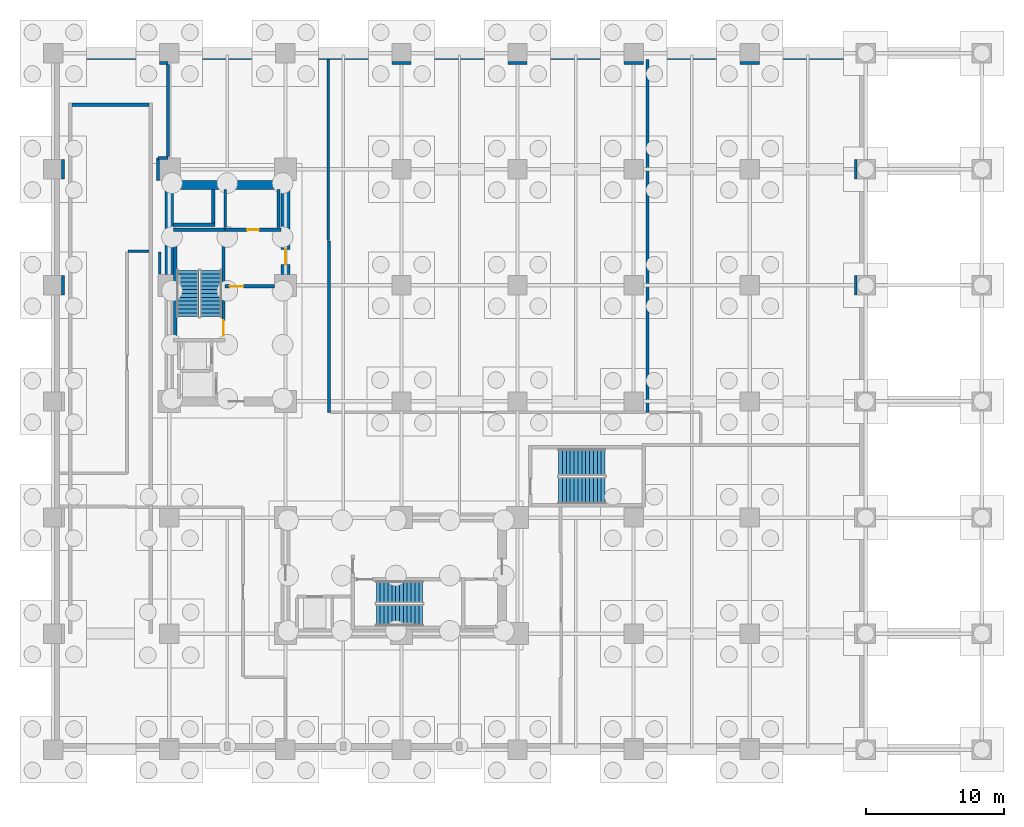
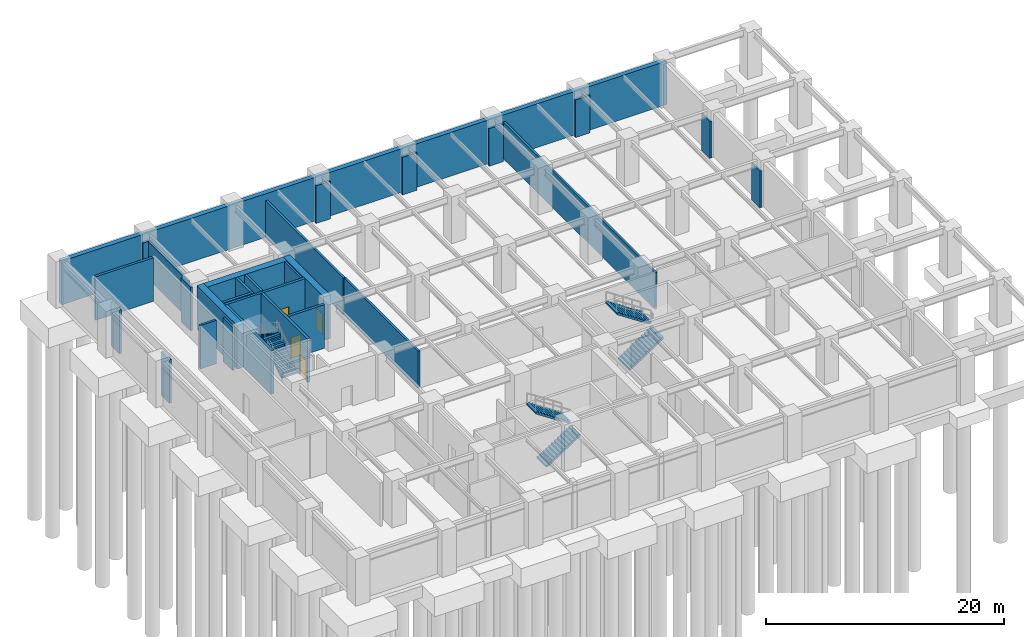
# One storey, part 7 of 9: 31 walls, 6 stair flights, 4 doors, 4 openings, 3 elements without a shape of their own.
"""IFC4 building model written with IfcOpenShell, lengths in metres."""

from ifc_helpers import new_model, si_unit, direction, frame, frame_2d, origin, place, context, subcontext, project, spatial, polyline, rectangle, outline, extrude, material, layer, layer_set, type_object, element, fill, aggregate, save


model = new_model("IFC4")

# Units and contexts
model_context = context("Model", 3, precision=1e-05, world=origin(), true_north=direction((0.0, 1.0)))
body_context = subcontext(model_context, "Body", "Model", "MODEL_VIEW")
ifc_project = project(units=[si_unit("LENGTHUNIT", "METRE"), si_unit("AREAUNIT", "SQUARE_METRE"), si_unit("VOLUMEUNIT", "CUBIC_METRE"), si_unit("PLANEANGLEUNIT", "RADIAN"), si_unit("MASSUNIT", "GRAM", prefix="KILO")], contexts=[model_context])

# Site, building, storey
site_placement = place(None, origin())
site = spatial("IfcSite", under=ifc_project, at=site_placement, CompositionType="ELEMENT")
building_placement = place(site_placement, origin())
building = spatial("IfcBuilding", under=site, at=building_placement, Name="Nerrivon Quay Data Exchange", CompositionType="ELEMENT")
storey_placement = place(building_placement, frame((0.0, 0.0, -9.60009765625)))
storey = spatial("IfcBuildingStorey", under=building, at=storey_placement, Name="B02", CompositionType="ELEMENT", Elevation=-9.60009765625)

# Walls
ifc_material_1 = material(Name="Concrete N80 (80 MPa)", Category="concrete")
ifc_layer_1 = layer(ifc_material_1, 0.64990234375)
ifc_layer_set_1 = layer_set([ifc_layer_1], Name="Concrete N80 (80 MPa)")
wall_type_1 = type_object("IfcWallType", Name="WALL-CW-850", PredefinedType="SHEAR", material=ifc_layer_set_1)
wall_1_placement = place(storey_placement, frame((8.39990234375, 34.39990234375, 0.0), z_axis=(0.0, 0.0, 1.0), x_axis=(0.0, 1.0, 0.0)))
element("IfcWall", 1, at=wall_1_placement, inside=storey, type_object=wall_type_1, Name="B02 West Split-Core Shear Wall WCW-W2", PredefinedType="SHEAR", context=body_context, shape_type="SweptSolid", body=[
    extrude(rectangle(XDim=6.800048828125, YDim=0.64990234375, at=frame_2d((3.39990234375, 0.0))), origin(), (0.0, 0.0, 1.0), 4.47998046875),
])
wall_2_placement = place(storey_placement, frame((8.72509765625, 40.875, 0.0), z_axis=(0.0, 0.0, 1.0), x_axis=(1.0, 0.0, 0.0)))
element("IfcWall", 2, at=wall_2_placement, inside=storey, type_object=wall_type_1, Name="B02 West Split-Core Shear Wall WCW-N1", PredefinedType="SHEAR", context=body_context, shape_type="SweptSolid", body=[
    extrude(rectangle(XDim=7.75, YDim=0.64990234375, at=frame_2d((3.875, 0.0))), origin(), (0.0, 0.0, 1.0), 4.47998046875),
])

# Wall, opening, door
wall_3_placement = place(storey_placement, frame((16.800048828125, 34.39990234375, 0.0), z_axis=(0.0, 0.0, 1.0), x_axis=(0.0, 1.0, 0.0)))
wall_3 = element("IfcWall", 3, at=wall_3_placement, inside=storey, type_object=wall_type_1, Name="B02 West Split-Core Shear Wall WCW-E1", PredefinedType="SHEAR", context=body_context, shape_type="SweptSolid", body=[
    extrude(rectangle(XDim=6.800048828125, YDim=0.64990234375, at=frame_2d((3.39990234375, 0.0))), origin(), (0.0, 0.0, 1.0), 4.47998046875),
])
opening_1_placement = place(wall_3_placement, frame((0.699951171875, 0.0, 0.0)))
opening_1 = element("IfcOpeningElement", 4, at=opening_1_placement, cuts=wall_3, Name="Opening FD-120", PredefinedType="OPENING", context=body_context, shape_type="SweptSolid", body=[
    extrude(rectangle(XDim=1.10009765625, YDim=2.14990234375, at=frame_2d((0.550048828125, 1.074951171875))), frame((0.0, 0.3349609375, 0.0), z_axis=(0.0, -1.0, 0.0), x_axis=(1.0, 0.0, 0.0)), (0.0, 0.0, 1.0), 0.669921875),
])
ifc_material_2 = material(Name="Powder-coated galvanized steel sheet", Category="steel")
door_type_1 = type_object("IfcDoorType", Name="DR-FD120-1100", OperationType="NOTDEFINED", PredefinedType="DOOR", material=ifc_material_2)
door_1_placement = place(opening_1_placement, origin())
door_1 = element("IfcDoor", 5, at=door_1_placement, inside=storey, type_object=door_type_1, Name="B02 West Core Lobby Fire Door", OperationType="SINGLE_SWING_LEFT", OverallHeight=2.14990234375, OverallWidth=1.10009765625, PredefinedType="DOOR", context=body_context, shape_type="SweptSolid", body=[
    extrude(rectangle(XDim=1.10009765625, YDim=2.14990234375, at=frame_2d((0.550048828125, 1.074951171875))), frame((0.0, 0.02490234375, 0.0), z_axis=(0.0, -1.0, 0.0), x_axis=(1.0, 0.0, 0.0)), (0.0, 0.0, 1.0), 0.050048828125),
])
fill(opening_1, door_1)

# Walls
ifc_material_3 = material(Name="Gypsum plasterboard on cold-formed framing", Category="gypsum")
ifc_layer_2 = layer(ifc_material_3, 0.199951171875)
ifc_layer_set_2 = layer_set([ifc_layer_2], Name="Gypsum plasterboard on cold-formed framing")
wall_type_2 = type_object("IfcWallType", Name="WALL-FW-200", PredefinedType="PARTITIONING", material=ifc_layer_set_2)
for number, where, z_axis, x_axis, name in (
    (6, (16.300048828125, 37.780029296875, 0.0), (0.0, 0.0, 1.0), (0.0, 1.0, 0.0), "B02 Partition Electrical Switchboard Closet"),
    (7, (12.449951171875, 40.5458984375, 0.0), (0.0, 0.0, 1.0), (0.0, -1.0, 0.0), "B02 Partition Electrical Switchboard Closet"),
):
    element("IfcWall", number, at=place(storey_placement, frame(where, z_axis=z_axis, x_axis=x_axis)), inside=storey, type_object=wall_type_2, Name=name, PredefinedType="PARTITIONING", context=body_context, shape_type="SweptSolid", body=[
        extrude(rectangle(XDim=2.765869140625, YDim=0.199951171875, at=frame_2d((1.3828125, 0.0))), origin(), (0.0, 0.0, 1.0), 4.47998046875),
    ])
wall_4_placement = place(storey_placement, frame((8.300048828125, 49.679931640625, 0.0), z_axis=(0.0, 0.0, 1.0), x_axis=(-1.0, 0.0, 0.0)))
element("IfcWall", 8, at=wall_4_placement, inside=storey, type_object=wall_type_2, Name="B02 Partition Subsea Optical Cable Vault", PredefinedType="PARTITIONING", context=body_context, shape_type="SweptSolid", body=[
    extrude(rectangle(XDim=0.60009765625, YDim=0.199951171875, at=frame_2d((0.300048828125, 0.0))), origin(), (0.0, 0.0, 1.0), 3.8681640625),
])
wall_5_placement = place(storey_placement, frame((0.719970703125, 42.699951171875, 0.0), z_axis=(0.0, 0.0, 1.0), x_axis=(0.0, -1.0, 0.0)))
element("IfcWall", 9, at=wall_5_placement, inside=storey, type_object=wall_type_2, Name="B02 Partition Subsea Optical Cable Vault", PredefinedType="PARTITIONING", context=body_context, shape_type="SweptSolid", body=[
    extrude(rectangle(XDim=1.39990234375, YDim=0.199951171875, at=frame_2d((0.699951171875, 0.0))), origin(), (0.0, 0.0, 1.0), 4.47998046875),
])
wall_6_placement = place(storey_placement, frame((0.719970703125, 34.300048828125, 0.0), z_axis=(0.0, 0.0, 1.0), x_axis=(0.0, -1.0, 0.0)))
element("IfcWall", 10, at=wall_6_placement, inside=storey, type_object=wall_type_2, Name="B02 Partition Subsea Optical Cable Vault", PredefinedType="PARTITIONING", context=body_context, shape_type="SweptSolid", body=[
    extrude(rectangle(XDim=1.400146484375, YDim=0.199951171875, at=frame_2d((0.7001953125, 0.0))), origin(), (0.0, 0.0, 1.0), 4.47998046875),
])
wall_7_placement = place(storey_placement, frame((5.39990234375, 36.06005859375, 0.0), z_axis=(0.0, 0.0, 1.0), x_axis=(1.0, 0.0, 0.0)))
element("IfcWall", 11, at=wall_7_placement, inside=storey, type_object=wall_type_2, Name="B02 Partition Subsea Optical Cable Vault", PredefinedType="PARTITIONING", context=body_context, shape_type="SweptSolid", body=[
    extrude(rectangle(XDim=1.546142578125, YDim=0.199951171875, at=frame_2d((0.77294921875, 0.0))), origin(), (0.0, 0.0, 1.0), 4.47998046875),
])
wall_8_placement = place(storey_placement, frame((7.7099609375, 36.0, 0.0), z_axis=(0.0, 0.0, 1.0), x_axis=(0.0, -1.0, 0.0)))
element("IfcWall", 12, at=wall_8_placement, inside=storey, type_object=wall_type_2, Name="B02 Partition Subsea Optical Cable Vault", PredefinedType="PARTITIONING", context=body_context, shape_type="SweptSolid", body=[
    extrude(rectangle(XDim=1.580078125, YDim=0.199951171875, at=frame_2d((0.7900390625, 0.0))), origin(), (0.0, 0.0, 1.0), 4.47998046875),
])
wall_9_placement = place(storey_placement, frame((7.580810546875, 41.194091796875, 0.0), z_axis=(0.0, 0.0, 1.0), x_axis=(-0.000456065626, 0.999999896002, 0.0)))
element("IfcWall", 13, at=wall_9_placement, inside=storey, type_object=wall_type_2, Name="B02 Partition Subsea Optical Cable Vault", PredefinedType="PARTITIONING", context=body_context, shape_type="SweptSolid", body=[
    extrude(rectangle(XDim=1.60595703125, YDim=0.199951171875, at=frame_2d((0.802978515625, 0.0))), origin(), (0.0, 0.0, 1.0), 4.47998046875),
])
wall_10_placement = place(storey_placement, frame((7.60009765625, 42.820068359375, 0.0), z_axis=(0.0, 0.0, 1.0), x_axis=(1.0, 0.0, 0.0)))
element("IfcWall", 14, at=wall_10_placement, inside=storey, type_object=wall_type_2, Name="B02 Partition Subsea Optical Cable Vault", PredefinedType="PARTITIONING", context=body_context, shape_type="SweptSolid", body=[
    extrude(rectangle(XDim=0.699951171875, YDim=0.199951171875, at=frame_2d((0.35009765625, 0.0))), origin(), (0.0, 0.0, 1.0), 3.8681640625),
])
wall_11_placement = place(storey_placement, frame((8.300048828125, 42.924072265625, 0.0), z_axis=(0.0, 0.0, 1.0), x_axis=(0.0, 1.0, 0.0)))
element("IfcWall", 15, at=wall_11_placement, inside=storey, type_object=wall_type_2, Name="B02 Partition Subsea Optical Cable Vault", PredefinedType="PARTITIONING", context=body_context, shape_type="SweptSolid", body=[
    extrude(rectangle(XDim=6.65185546875, YDim=0.199951171875, at=frame_2d((3.325927734375, 0.0))), origin(), (0.0, 0.0, 1.0), 3.8681640625),
])
wall_12_placement = place(storey_placement, frame((43.0, 24.409912109375, 0.0), z_axis=(0.0, 0.0, 1.0), x_axis=(0.0, 1.0, 0.0)))
element("IfcWall", 16, at=wall_12_placement, inside=storey, type_object=wall_type_2, Name="B02 Partition Chiller Plant Room", PredefinedType="PARTITIONING", context=body_context, shape_type="SweptSolid", body=[
    extrude(rectangle(XDim=25.5361328125, YDim=0.199951171875, at=frame_2d((12.76806640625, 0.0))), origin(), (0.0, 0.0, 1.0), 3.780029296875),
])
wall_13_placement = place(storey_placement, frame((42.699951171875, 49.679931640625, 0.0), z_axis=(0.0, 0.0, 1.0), x_axis=(-1.0, 0.0, 0.0)))
element("IfcWall", 17, at=wall_13_placement, inside=storey, type_object=wall_type_2, Name="B02 Partition Chiller Plant Room", PredefinedType="PARTITIONING", context=body_context, shape_type="SweptSolid", body=[
    extrude(rectangle(XDim=1.39990234375, YDim=0.199951171875, at=frame_2d((0.699951171875, 0.0))), origin(), (0.0, 0.0, 1.0), 3.8681640625),
])
wall_14_placement = place(storey_placement, frame((34.300048828125, 49.679931640625, 0.0), z_axis=(0.0, 0.0, 1.0), x_axis=(-1.0, 0.0, 0.0)))
element("IfcWall", 18, at=wall_14_placement, inside=storey, type_object=wall_type_2, Name="B02 Partition Chiller Plant Room", PredefinedType="PARTITIONING", context=body_context, shape_type="SweptSolid", body=[
    extrude(rectangle(XDim=1.400146484375, YDim=0.199951171875, at=frame_2d((0.7001953125, 0.0))), origin(), (0.0, 0.0, 1.0), 3.8681640625),
])
wall_15_placement = place(storey_placement, frame((25.89990234375, 49.679931640625, 0.0), z_axis=(0.0, 0.0, 1.0), x_axis=(-1.0, 0.0, 0.0)))
element("IfcWall", 19, at=wall_15_placement, inside=storey, type_object=wall_type_2, Name="B02 Partition Chiller Plant Room", PredefinedType="PARTITIONING", context=body_context, shape_type="SweptSolid", body=[
    extrude(rectangle(XDim=1.39990234375, YDim=0.199951171875, at=frame_2d((0.699951171875, 0.0))), origin(), (0.0, 0.0, 1.0), 3.8681640625),
])
wall_16_placement = place(storey_placement, frame((19.89990234375, 49.946044921875, 0.0), z_axis=(0.0, 0.0, 1.0), x_axis=(0.0, -1.0, 0.0)))
element("IfcWall", 20, at=wall_16_placement, inside=storey, type_object=wall_type_2, Name="B02 Partition Chiller Plant Room", PredefinedType="PARTITIONING", context=body_context, shape_type="SweptSolid", body=[
    extrude(rectangle(XDim=13.0859375, YDim=0.199951171875, at=frame_2d((6.54296875, 0.0))), origin(), (0.0, 0.0, 1.0), 3.780029296875),
])
wall_17_placement = place(storey_placement, frame((19.9599609375, 36.800048828125, 0.0), z_axis=(0.0, 0.0, 1.0), x_axis=(0.0, -1.0, 0.0)))
element("IfcWall", 21, at=wall_17_placement, inside=storey, type_object=wall_type_2, Name="B02 Partition Chiller Plant Room", PredefinedType="PARTITIONING", context=body_context, shape_type="SweptSolid", body=[
    extrude(rectangle(XDim=12.39013671875, YDim=0.199951171875, at=frame_2d((6.195068359375, 0.0))), origin(), (0.0, 0.0, 1.0), 3.780029296875),
])
wall_18_placement = place(storey_placement, frame((58.080078125, 32.89990234375, 0.0), z_axis=(0.0, 0.0, 1.0), x_axis=(0.0, 1.0, 0.0)))
element("IfcWall", 22, at=wall_18_placement, inside=storey, type_object=wall_type_2, Name="B02 Partition Fire & Cooling Water Storage Tank Room", PredefinedType="PARTITIONING", context=body_context, shape_type="SweptSolid", body=[
    extrude(rectangle(XDim=1.400146484375, YDim=0.199951171875, at=frame_2d((0.7001953125, 0.0))), origin(), (0.0, 0.0, 1.0), 3.780029296875),
])
wall_19_placement = place(storey_placement, frame((58.080078125, 41.300048828125, 0.0), z_axis=(0.0, 0.0, 1.0), x_axis=(0.0, 1.0, 0.0)))
element("IfcWall", 23, at=wall_19_placement, inside=storey, type_object=wall_type_2, Name="B02 Partition Fire & Cooling Water Storage Tank Room", PredefinedType="PARTITIONING", context=body_context, shape_type="SweptSolid", body=[
    extrude(rectangle(XDim=1.39990234375, YDim=0.199951171875, at=frame_2d((0.699951171875, 0.0))), origin(), (0.0, 0.0, 1.0), 3.780029296875),
])
wall_20_placement = place(storey_placement, frame((51.10009765625, 49.679931640625, 0.0), z_axis=(0.0, 0.0, 1.0), x_axis=(-1.0, 0.0, 0.0)))
element("IfcWall", 24, at=wall_20_placement, inside=storey, type_object=wall_type_2, Name="B02 Partition Fire & Cooling Water Storage Tank Room", PredefinedType="PARTITIONING", context=body_context, shape_type="SweptSolid", body=[
    extrude(rectangle(XDim=1.400146484375, YDim=0.199951171875, at=frame_2d((0.7001953125, 0.0))), origin(), (0.0, 0.0, 1.0), 3.8681640625),
])
ifc_material_4 = material(Name="Concrete N50 (50 MPa)", Category="concrete")
ifc_layer_3 = layer(ifc_material_4, 0.449951171875)
ifc_layer_set_3 = layer_set([ifc_layer_3], Name="Concrete N50 (50 MPa)")
wall_type_3 = type_object("IfcWallType", Name="WALL-RET-450", PredefinedType="SOLIDWALL", material=ifc_layer_set_3)
wall_21_placement = place(storey_placement, frame((0.0, 50.175048828125, 0.0), z_axis=(0.0, 0.0, 1.0), x_axis=(1.0, 0.0, 0.0)))
element("IfcWall", 25, at=wall_21_placement, inside=storey, type_object=wall_type_3, Name="B02 Perimeter Retaining Wall N", PredefinedType="SOLIDWALL", context=body_context, shape_type="SweptSolid", body=[
    extrude(rectangle(XDim=58.800048828125, YDim=0.449951171875, at=frame_2d((29.39990234375, 0.0))), origin(), (0.0, 0.0, 1.0), 4.47998046875),
])
ifc_layer_4 = layer(ifc_material_4, 0.25)
ifc_layer_set_4 = layer_set([ifc_layer_4], Name="Concrete N50 (50 MPa)")
wall_type_4 = type_object("IfcWallType", Name="WALL-SW-250", PredefinedType="SHEAR", material=ifc_layer_set_4)
wall_22_placement = place(storey_placement, frame((1.35009765625, 46.675048828125, 0.0), z_axis=(0.0, 0.0, 1.0), x_axis=(1.0, 0.0, 0.0)))
element("IfcWall", 26, at=wall_22_placement, inside=storey, type_object=wall_type_4, Name="B02 Vehicle Ramp North Support Wall", PredefinedType="SHEAR", context=body_context, shape_type="SweptSolid", body=[
    extrude(rectangle(XDim=5.599853515625, YDim=0.25, at=frame_2d((2.7998046875, 0.0))), origin(), (0.0, 0.0, 1.0), 4.47998046875),
])
wall_23_placement = place(storey_placement, frame((12.449951171875, 37.625, 0.0), z_axis=(0.0, 0.0, 1.0), x_axis=(-1.0, 0.0, 0.0)))
element("IfcWall", 27, at=wall_23_placement, inside=storey, type_object=wall_type_4, Name="B02 ST01 Structural Stair Core Wall FAR", PredefinedType="SHEAR", context=body_context, shape_type="SweptSolid", body=[
    extrude(rectangle(XDim=3.75, YDim=0.25, at=frame_2d((1.875, 0.0))), origin(), (0.0, 0.0, 1.0), 4.47998046875),
])

# Wall, opening, door
wall_24_placement = place(storey_placement, frame((12.324951171875, 29.75, 0.0), z_axis=(0.0, 0.0, 1.0), x_axis=(0.0, 1.0, 0.0)))
wall_24 = element("IfcWall", 28, at=wall_24_placement, inside=storey, type_object=wall_type_4, Name="B02 ST01 Structural Stair Core Wall LEFT", PredefinedType="SHEAR", context=body_context, shape_type="SweptSolid", body=[
    extrude(rectangle(XDim=7.75, YDim=0.25, at=frame_2d((3.875, 0.0))), origin(), (0.0, 0.0, 1.0), 4.47998046875),
])
opening_2_placement = place(wall_24_placement, frame((0.219970703125, 0.0, 0.0)))
opening_2 = element("IfcOpeningElement", 29, at=opening_2_placement, cuts=wall_24, Name="Opening FD-120", PredefinedType="OPENING", context=body_context, shape_type="SweptSolid", body=[
    extrude(rectangle(XDim=1.10009765625, YDim=2.14990234375, at=frame_2d((0.550048828125, 1.074951171875))), frame((0.0, 0.135009765625, 0.0), z_axis=(0.0, -1.0, 0.0), x_axis=(1.0, 0.0, 0.0)), (0.0, 0.0, 1.0), 0.27001953125),
])
door_2_placement = place(opening_2_placement, origin())
door_2 = element("IfcDoor", 30, at=door_2_placement, inside=storey, type_object=door_type_1, Name="B02 Protected Stair Door ST01", OperationType="SINGLE_SWING_LEFT", OverallHeight=2.14990234375, OverallWidth=1.10009765625, PredefinedType="DOOR", context=body_context, shape_type="SweptSolid", body=[
    extrude(rectangle(XDim=1.10009765625, YDim=2.14990234375, at=frame_2d((0.550048828125, 1.074951171875))), frame((0.0, 0.02490234375, 0.0), z_axis=(0.0, -1.0, 0.0), x_axis=(1.0, 0.0, 0.0)), (0.0, 0.0, 1.0), 0.050048828125),
])
fill(opening_2, door_2)

# Walls
wall_25_placement = place(storey_placement, frame((8.824951171875, 29.75, 0.0), z_axis=(0.0, 0.0, 1.0), x_axis=(0.0, 1.0, 0.0)))
element("IfcWall", 31, at=wall_25_placement, inside=storey, type_object=wall_type_4, Name="B02 ST01 Structural Stair Core Wall RIGHT", PredefinedType="SHEAR", context=body_context, shape_type="SweptSolid", body=[
    extrude(rectangle(XDim=7.75, YDim=0.25, at=frame_2d((3.875, 0.0))), origin(), (0.0, 0.0, 1.0), 4.47998046875),
])
wall_26_placement = place(storey_placement, frame((8.72509765625, 37.97509765625, 0.0), z_axis=(0.0, 0.0, 1.0), x_axis=(1.0, 0.0, 0.0)))
element("IfcWall", 32, at=wall_26_placement, inside=storey, type_object=wall_type_4, Name="B02 West Core MEP Riser Shaft Wall S", PredefinedType="SHEAR", context=body_context, shape_type="SweptSolid", body=[
    extrude(rectangle(XDim=2.974853515625, YDim=0.25, at=frame_2d((1.4873046875, 0.0))), origin(), (0.0, 0.0, 1.0), 4.47998046875),
])
wall_27_placement = place(storey_placement, frame((11.574951171875, 38.10009765625, 0.0), z_axis=(0.0, 0.0, 1.0), x_axis=(0.0, 1.0, 0.0)))
element("IfcWall", 33, at=wall_27_placement, inside=storey, type_object=wall_type_4, Name="B02 West Core MEP Riser Shaft Wall E", PredefinedType="SHEAR", context=body_context, shape_type="SweptSolid", body=[
    extrude(rectangle(XDim=2.449951171875, YDim=0.25, at=frame_2d((1.22509765625, 0.0))), origin(), (0.0, 0.0, 1.0), 4.47998046875),
])

# Wall, opening, door
wall_28_placement = place(storey_placement, frame((12.449951171875, 33.52001953125, 0.0), z_axis=(0.0, 0.0, 1.0), x_axis=(1.0, 0.0, 0.0)))
wall_28 = element("IfcWall", 34, at=wall_28_placement, inside=storey, type_object=wall_type_4, Name="B02 West Lobby Smoke-Stop Wall", PredefinedType="SHEAR", context=body_context, shape_type="SweptSolid", body=[
    extrude(rectangle(XDim=3.550048828125, YDim=0.25, at=frame_2d((1.77490234375, 0.0))), origin(), (0.0, 0.0, 1.0), 4.47998046875),
])
opening_3_placement = place(wall_28_placement, frame((0.320068359375, 0.0, 0.0)))
opening_3 = element("IfcOpeningElement", 35, at=opening_3_placement, cuts=wall_28, Name="Opening FD-60", PredefinedType="OPENING", context=body_context, shape_type="SweptSolid", body=[
    extrude(rectangle(XDim=1.0, YDim=2.14990234375, at=frame_2d((0.5, 1.074951171875))), frame((0.0, 0.135009765625, 0.0), z_axis=(0.0, -1.0, 0.0), x_axis=(1.0, 0.0, 0.0)), (0.0, 0.0, 1.0), 0.27001953125),
])
ifc_material_5 = material(Name="Engineered hardwood timber", Category="wood")
door_type_2 = type_object("IfcDoorType", Name="DR-FD60-1000", OperationType="NOTDEFINED", PredefinedType="DOOR", material=ifc_material_5)
door_3_placement = place(opening_3_placement, origin())
door_3 = element("IfcDoor", 36, at=door_3_placement, inside=storey, type_object=door_type_2, Name="B02 West Firefighting Lobby Fire Door", OperationType="SINGLE_SWING_RIGHT", OverallHeight=2.14990234375, OverallWidth=1.0, PredefinedType="DOOR", context=body_context, shape_type="SweptSolid", body=[
    extrude(rectangle(XDim=1.0, YDim=2.14990234375, at=frame_2d((0.5, 1.074951171875))), frame((0.0, 0.02490234375, 0.0), z_axis=(0.0, -1.0, 0.0), x_axis=(1.0, 0.0, 0.0)), (0.0, 0.0, 1.0), 0.050048828125),
])
fill(opening_3, door_3)

wall_29_placement = place(storey_placement, frame((12.449951171875, 37.625, 0.0), z_axis=(0.0, 0.0, 1.0), x_axis=(1.0, 0.0, 0.0)))
wall_29 = element("IfcWall", 37, at=wall_29_placement, inside=storey, type_object=wall_type_4, Name="B02 West Firefighting Lobby Wall", PredefinedType="SHEAR", context=body_context, shape_type="SweptSolid", body=[
    extrude(rectangle(XDim=4.025146484375, YDim=0.25, at=frame_2d((2.0126953125, 0.0))), origin(), (0.0, 0.0, 1.0), 4.47998046875),
])
opening_4_placement = place(wall_29_placement, frame((1.58740234375, 0.0, 0.0)))
opening_4 = element("IfcOpeningElement", 38, at=opening_4_placement, cuts=wall_29, Name="Opening FD-60S", PredefinedType="OPENING", context=body_context, shape_type="SweptSolid", body=[
    extrude(rectangle(XDim=0.85009765625, YDim=2.14990234375, at=frame_2d((0.425048828125, 1.074951171875))), frame((0.0, 0.135009765625, 0.0), z_axis=(0.0, -1.0, 0.0), x_axis=(1.0, 0.0, 0.0)), (0.0, 0.0, 1.0), 0.27001953125),
])
door_type_3 = type_object("IfcDoorType", Name="DR-FD60-850", OperationType="NOTDEFINED", PredefinedType="DOOR", material=ifc_material_5)
door_4_placement = place(opening_4_placement, origin())
door_4 = element("IfcDoor", 39, at=door_4_placement, inside=storey, type_object=door_type_3, Name="B02 Door Electrical Switchboard Closet", OperationType="SINGLE_SWING_RIGHT", OverallHeight=2.14990234375, OverallWidth=0.85009765625, PredefinedType="DOOR", context=body_context, shape_type="SweptSolid", body=[
    extrude(rectangle(XDim=0.85009765625, YDim=2.14990234375, at=frame_2d((0.425048828125, 1.074951171875))), frame((0.0, 0.02490234375, 0.0), z_axis=(0.0, -1.0, 0.0), x_axis=(1.0, 0.0, 0.0)), (0.0, 0.0, 1.0), 0.050048828125),
])
fill(opening_4, door_4)

# Stair, stair flights
stair_type = type_object("IfcStairType", Name="STAIR-DOG-48", PredefinedType="HALF_TURN_STAIR", material=ifc_material_4)
stair_1_placement = place(storey_placement, origin())
stair_1 = element("IfcStair", 40, at=stair_1_placement, inside=storey, type_object=stair_type, Name="B02 West Core Fire Stair ST01", PredefinedType="HALF_TURN_STAIR")
stair_flight_type = type_object("IfcStairFlightType", Name="FLIGHT-DOG-48", PredefinedType="STRAIGHT", material=ifc_material_4)
stair_flight_1_placement = place(storey_placement, frame((11.425048828125, 31.330078125, 0.0), z_axis=(0.0, 0.0, 1.0), x_axis=(0.0, 1.0, 0.0)))
stair_flight_1 = element("IfcStairFlight", 41, at=stair_flight_1_placement, type_object=stair_flight_type, Name="ST01 flight 1", NumberOfRisers=13, NumberOfTreads=12, PredefinedType="STRAIGHT", RiserHeight=0.184615385, TreadLength=0.28, context=body_context, shape_type="SweptSolid", body=[
    extrude(outline(polyline([(0.0, 0.0), (0.0, 0.1845703125), (0.280029296875, 0.1845703125), (0.280029296875, 0.369140625), (0.56005859375, 0.369140625), (0.56005859375, 0.553955078125), (0.840087890625, 0.553955078125), (0.840087890625, 0.738525390625), (1.1201171875, 0.738525390625), (1.1201171875, 0.923095703125), (1.39990234375, 0.923095703125), (1.39990234375, 1.107666015625), (1.679931640625, 1.107666015625), (1.679931640625, 1.292236328125), (1.9599609375, 1.292236328125), (1.9599609375, 1.476806640625), (2.239990234375, 1.476806640625), (2.239990234375, 1.66162109375), (2.52001953125, 1.66162109375), (2.52001953125, 1.84619140625), (2.800048828125, 1.84619140625), (2.800048828125, 2.03076171875), (3.080078125, 2.03076171875), (3.080078125, 2.21533203125), (3.360107421875, 2.21533203125), (3.360107421875, 2.39990234375), (3.360107421875, 2.035888671875), (0.272216796875, 0.0), (0.0, 0.0)])), frame((0.0, 0.77490234375, 0.0), z_axis=(0.0, -1.0, 0.0), x_axis=(1.0, 0.0, 0.0)), (0.0, 0.0, 1.0), 1.550048828125),
])
stair_flight_2_placement = place(storey_placement, frame((9.72509765625, 34.68994140625, 2.400146484375), z_axis=(0.0, 0.0, 1.0), x_axis=(0.0, -1.0, 0.0)))
stair_flight_2 = element("IfcStairFlight", 42, at=stair_flight_2_placement, type_object=stair_flight_type, Name="ST01 flight 2", NumberOfRisers=13, NumberOfTreads=12, PredefinedType="STRAIGHT", RiserHeight=0.184615385, TreadLength=0.28, context=body_context, shape_type="SweptSolid", body=[
    extrude(outline(polyline([(0.0, 0.0), (0.0, 0.1845703125), (0.280029296875, 0.1845703125), (0.280029296875, 0.369140625), (0.56005859375, 0.369140625), (0.56005859375, 0.553955078125), (0.840087890625, 0.553955078125), (0.840087890625, 0.738525390625), (1.1201171875, 0.738525390625), (1.1201171875, 0.923095703125), (1.39990234375, 0.923095703125), (1.39990234375, 1.107666015625), (1.679931640625, 1.107666015625), (1.679931640625, 1.292236328125), (1.9599609375, 1.292236328125), (1.9599609375, 1.476806640625), (2.239990234375, 1.476806640625), (2.239990234375, 1.66162109375), (2.52001953125, 1.66162109375), (2.52001953125, 1.84619140625), (2.800048828125, 1.84619140625), (2.800048828125, 2.03076171875), (3.080078125, 2.03076171875), (3.080078125, 2.21533203125), (3.360107421875, 2.21533203125), (3.360107421875, 2.39990234375), (3.360107421875, 2.035888671875), (0.272216796875, 0.0), (0.0, 0.0)])), frame((0.0, 0.77490234375, 0.0), z_axis=(0.0, -1.0, 0.0), x_axis=(1.0, 0.0, 0.0)), (0.0, 0.0, 1.0), 1.550048828125),
])
aggregate(stair_1, [stair_flight_1, stair_flight_2])

stair_2_placement = place(storey_placement, origin())
stair_2 = element("IfcStair", 43, at=stair_2_placement, inside=storey, type_object=stair_type, Name="B02 East Core Fire Stair ST02", PredefinedType="HALF_TURN_STAIR")
stair_flight_3_placement = place(storey_placement, frame((23.3798828125, 9.72509765625, 0.0), z_axis=(0.0, 0.0, 1.0), x_axis=(1.0, 0.0, 0.0)))
stair_flight_3 = element("IfcStairFlight", 44, at=stair_flight_3_placement, type_object=stair_flight_type, Name="ST02 flight 1", NumberOfRisers=13, NumberOfTreads=12, PredefinedType="STRAIGHT", RiserHeight=0.184615385, TreadLength=0.28, context=body_context, shape_type="SweptSolid", body=[
    extrude(outline(polyline([(0.0, 0.0), (0.0, 0.1845703125), (0.280029296875, 0.1845703125), (0.280029296875, 0.369140625), (0.56005859375, 0.369140625), (0.56005859375, 0.553955078125), (0.840087890625, 0.553955078125), (0.840087890625, 0.738525390625), (1.1201171875, 0.738525390625), (1.1201171875, 0.923095703125), (1.39990234375, 0.923095703125), (1.39990234375, 1.107666015625), (1.679931640625, 1.107666015625), (1.679931640625, 1.292236328125), (1.9599609375, 1.292236328125), (1.9599609375, 1.476806640625), (2.239990234375, 1.476806640625), (2.239990234375, 1.66162109375), (2.52001953125, 1.66162109375), (2.52001953125, 1.84619140625), (2.800048828125, 1.84619140625), (2.800048828125, 2.03076171875), (3.080078125, 2.03076171875), (3.080078125, 2.21533203125), (3.360107421875, 2.21533203125), (3.360107421875, 2.39990234375), (3.360107421875, 2.035888671875), (0.272216796875, 0.0), (0.0, 0.0)])), frame((0.0, 0.77490234375, 0.0), z_axis=(0.0, -1.0, 0.0), x_axis=(1.0, 0.0, 0.0)), (0.0, 0.0, 1.0), 1.550048828125),
])
stair_flight_4_placement = place(storey_placement, frame((26.739990234375, 11.425048828125, 2.400146484375), z_axis=(0.0, 0.0, 1.0), x_axis=(-1.0, 0.0, 0.0)))
stair_flight_4 = element("IfcStairFlight", 45, at=stair_flight_4_placement, type_object=stair_flight_type, Name="ST02 flight 2", NumberOfRisers=13, NumberOfTreads=12, PredefinedType="STRAIGHT", RiserHeight=0.184615385, TreadLength=0.28, context=body_context, shape_type="SweptSolid", body=[
    extrude(outline(polyline([(0.0, 0.0), (0.0, 0.1845703125), (0.280029296875, 0.1845703125), (0.280029296875, 0.369140625), (0.56005859375, 0.369140625), (0.56005859375, 0.553955078125), (0.840087890625, 0.553955078125), (0.840087890625, 0.738525390625), (1.1201171875, 0.738525390625), (1.1201171875, 0.923095703125), (1.39990234375, 0.923095703125), (1.39990234375, 1.107666015625), (1.679931640625, 1.107666015625), (1.679931640625, 1.292236328125), (1.9599609375, 1.292236328125), (1.9599609375, 1.476806640625), (2.239990234375, 1.476806640625), (2.239990234375, 1.66162109375), (2.52001953125, 1.66162109375), (2.52001953125, 1.84619140625), (2.800048828125, 1.84619140625), (2.800048828125, 2.03076171875), (3.080078125, 2.03076171875), (3.080078125, 2.21533203125), (3.360107421875, 2.21533203125), (3.360107421875, 2.39990234375), (3.360107421875, 2.035888671875), (0.272216796875, 0.0), (0.0, 0.0)])), frame((0.0, 0.77490234375, 0.0), z_axis=(0.0, -1.0, 0.0), x_axis=(1.0, 0.0, 0.0)), (0.0, 0.0, 1.0), 1.550048828125),
])
aggregate(stair_2, [stair_flight_3, stair_flight_4])

stair_3_placement = place(storey_placement, origin())
stair_3 = element("IfcStair", 46, at=stair_3_placement, inside=storey, type_object=stair_type, Name="B02 Podium Exit Stair ST03", PredefinedType="HALF_TURN_STAIR")
stair_flight_5_placement = place(storey_placement, frame((36.570068359375, 18.75, 0.0), z_axis=(0.0, 0.0, 1.0), x_axis=(1.0, 0.0, 0.0)))
stair_flight_5 = element("IfcStairFlight", 47, at=stair_flight_5_placement, type_object=stair_flight_type, Name="ST03 flight 1", NumberOfRisers=13, NumberOfTreads=12, PredefinedType="STRAIGHT", RiserHeight=0.184615385, TreadLength=0.28, context=body_context, shape_type="SweptSolid", body=[
    extrude(outline(polyline([(0.0, 0.0), (0.0, 0.1845703125), (0.280029296875, 0.1845703125), (0.280029296875, 0.369140625), (0.56005859375, 0.369140625), (0.56005859375, 0.553955078125), (0.840087890625, 0.553955078125), (0.840087890625, 0.738525390625), (1.1201171875, 0.738525390625), (1.1201171875, 0.923095703125), (1.39990234375, 0.923095703125), (1.39990234375, 1.107666015625), (1.679931640625, 1.107666015625), (1.679931640625, 1.292236328125), (1.9599609375, 1.292236328125), (1.9599609375, 1.476806640625), (2.239990234375, 1.476806640625), (2.239990234375, 1.66162109375), (2.52001953125, 1.66162109375), (2.52001953125, 1.84619140625), (2.800048828125, 1.84619140625), (2.800048828125, 2.03076171875), (3.080078125, 2.03076171875), (3.080078125, 2.21533203125), (3.360107421875, 2.21533203125), (3.360107421875, 2.39990234375), (3.360107421875, 2.035888671875), (0.272216796875, 0.0), (0.0, 0.0)])), frame((0.0, 0.949951171875, 0.0), z_axis=(0.0, -1.0, 0.0), x_axis=(1.0, 0.0, 0.0)), (0.0, 0.0, 1.0), 1.89990234375),
])
stair_flight_6_placement = place(storey_placement, frame((39.929931640625, 20.800048828125, 2.400146484375), z_axis=(0.0, 0.0, 1.0), x_axis=(-1.0, 0.0, 0.0)))
stair_flight_6 = element("IfcStairFlight", 48, at=stair_flight_6_placement, type_object=stair_flight_type, Name="ST03 flight 2", NumberOfRisers=13, NumberOfTreads=12, PredefinedType="STRAIGHT", RiserHeight=0.184615385, TreadLength=0.28, context=body_context, shape_type="SweptSolid", body=[
    extrude(outline(polyline([(0.0, 0.0), (0.0, 0.1845703125), (0.280029296875, 0.1845703125), (0.280029296875, 0.369140625), (0.56005859375, 0.369140625), (0.56005859375, 0.553955078125), (0.840087890625, 0.553955078125), (0.840087890625, 0.738525390625), (1.1201171875, 0.738525390625), (1.1201171875, 0.923095703125), (1.39990234375, 0.923095703125), (1.39990234375, 1.107666015625), (1.679931640625, 1.107666015625), (1.679931640625, 1.292236328125), (1.9599609375, 1.292236328125), (1.9599609375, 1.476806640625), (2.239990234375, 1.476806640625), (2.239990234375, 1.66162109375), (2.52001953125, 1.66162109375), (2.52001953125, 1.84619140625), (2.800048828125, 1.84619140625), (2.800048828125, 2.03076171875), (3.080078125, 2.03076171875), (3.080078125, 2.21533203125), (3.360107421875, 2.21533203125), (3.360107421875, 2.39990234375), (3.360107421875, 2.035888671875), (0.272216796875, 0.0), (0.0, 0.0)])), frame((0.0, 0.949951171875, 0.0), z_axis=(0.0, -1.0, 0.0), x_axis=(1.0, 0.0, 0.0)), (0.0, 0.0, 1.0), 1.89990234375),
])
aggregate(stair_3, [stair_flight_5, stair_flight_6])

save(model, "model.ifc")
